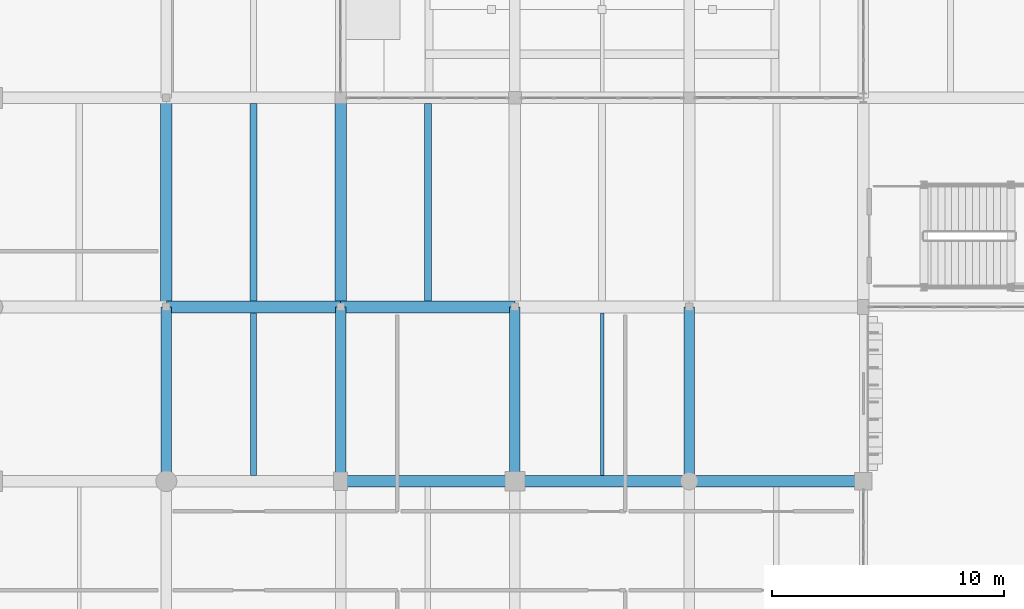
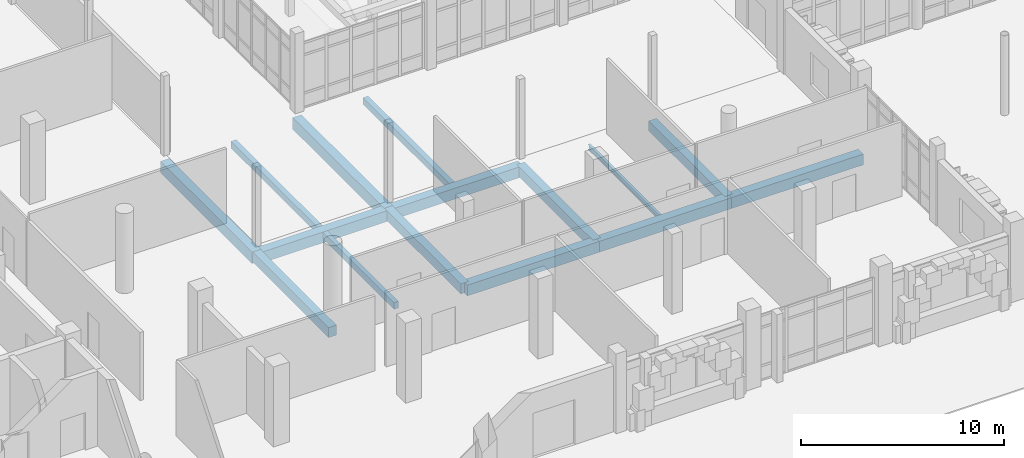
# One storey, part 19 of 125: 15 beams.
"""IFC4 building model written with IfcOpenShell, lengths in metres."""

from ifc_helpers import new_model, si_unit, direction, frame, origin, origin_2d, place, context, subcontext, project, spatial, rectangle, i_section, extrude, material, material_profile, profile_set, type_object, element, save


model = new_model("IFC4")

# Units and contexts
model_context = context("Model", 3, precision=1e-05, world=origin(), true_north=direction((0.0, 1.0)))
body_context = subcontext(model_context, "Body", "Model", "MODEL_VIEW")
ifc_project = project(units=[si_unit("LENGTHUNIT", "METRE"), si_unit("AREAUNIT", "SQUARE_METRE"), si_unit("VOLUMEUNIT", "CUBIC_METRE"), si_unit("PLANEANGLEUNIT", "RADIAN"), si_unit("MASSUNIT", "GRAM", prefix="KILO")], contexts=[model_context])

# Site, building, storey
site_placement = place(None, origin())
site = spatial("IfcSite", under=ifc_project, at=site_placement, CompositionType="ELEMENT")
building_placement = place(site_placement, origin())
building = spatial("IfcBuilding", under=site, at=building_placement, Name="Dalvernix Boulevard General Hospital", CompositionType="ELEMENT")
storey_placement = place(building_placement, origin())
storey = spatial("IfcBuildingStorey", under=building, at=storey_placement, Name="L00", CompositionType="ELEMENT", Elevation=0.0)

# Beams
ifc_material_1 = material(Name="Concrete C35/45", Category="concrete")
ifc_material_profile_1 = material_profile(ifc_material_1, rectangle(XDim=0.5, YDim=0.699951171875, at=origin_2d()), Name="RCB 500x700")
ifc_profile_set_1 = profile_set([ifc_material_profile_1], Name="Concrete C35/45")
beam_type_1 = type_object("IfcBeamType", Name="BM-B-01-I", PredefinedType="BEAM", material=ifc_profile_set_1)
for number, where, z_axis, x_axis, name in (
    (1, (30.0, 22.5, -0.7099609375), (0.0, 1.0, 0.0), (-1.0, 0.0, 0.0), "L00 N-S girder 5:D-E"),
    (2, (37.5, 22.5, -0.7099609375), (0.0, 1.0, 0.0), (-1.0, 0.0, 0.0), "L00 N-S girder 6:D-E"),
):
    element("IfcBeam", number, at=place(storey_placement, frame(where, z_axis=z_axis, x_axis=x_axis)), inside=storey, type_object=beam_type_1, Name=name, PredefinedType="BEAM", context=body_context, shape_type="SweptSolid", body=[
        extrude(rectangle(XDim=0.5, YDim=0.699951171875, at=origin_2d()), origin(), (0.0, 0.0, 1.0), 9.0),
    ])
ifc_material_profile_2 = material_profile(ifc_material_1, rectangle(XDim=0.5, YDim=0.64990234375, at=origin_2d()), Name="RCB 500x650")
ifc_profile_set_2 = profile_set([ifc_material_profile_2], Name="Concrete C35/45")
beam_type_2 = type_object("IfcBeamType", Name="BM-B-02-I", PredefinedType="BEAM", material=ifc_profile_set_2)
for number, where, z_axis, x_axis, name in (
    (3, (37.5, 15.0, -0.68505859375), (1.0, 0.0, 0.0), (0.0, 1.0, 0.0), "L00 E-W girder C:6-7"),
    (4, (45.0, 15.0, -0.68505859375), (1.0, 0.0, 0.0), (0.0, 1.0, 0.0), "L00 E-W girder C:7-8"),
    (5, (52.5, 15.0, -0.68505859375), (1.0, 0.0, 0.0), (0.0, 1.0, 0.0), "L00 E-W girder C:8-9"),
    (6, (30.0, 22.5, -0.68505859375), (1.0, 0.0, 0.0), (0.0, 1.0, 0.0), "L00 E-W girder D:5-6"),
    (7, (37.5, 22.5, -0.68505859375), (1.0, 0.0, 0.0), (0.0, 1.0, 0.0), "L00 E-W girder D:6-7"),
):
    element("IfcBeam", number, at=place(storey_placement, frame(where, z_axis=z_axis, x_axis=x_axis)), inside=storey, type_object=beam_type_2, Name=name, PredefinedType="BEAM", context=body_context, shape_type="SweptSolid", body=[
        extrude(rectangle(XDim=0.5, YDim=0.64990234375, at=origin_2d()), origin(), (0.0, 0.0, 1.0), 7.5),
    ])
ifc_material_profile_3 = material_profile(ifc_material_1, rectangle(XDim=0.449951171875, YDim=0.60009765625, at=origin_2d()), Name="RCB 450x600")
ifc_profile_set_3 = profile_set([ifc_material_profile_3], Name="Concrete C35/45")
beam_type_3 = type_object("IfcBeamType", Name="BM-B-04-I", PredefinedType="BEAM", material=ifc_profile_set_3)
for number, where, z_axis, x_axis, name in (
    (8, (30.0, 15.0, -0.659912109375), (0.0, 1.0, 0.0), (-1.0, 0.0, 0.0), "L00 N-S girder 5:C-D"),
    (9, (37.5, 15.0, -0.659912109375), (0.0, 1.0, 0.0), (-1.0, 0.0, 0.0), "L00 N-S girder 6:C-D"),
    (10, (45.0, 15.0, -0.659912109375), (0.0, 1.0, 0.0), (-1.0, 0.0, 0.0), "L00 N-S girder 7:C-D"),
    (11, (52.5, 15.0, -0.659912109375), (0.0, 1.0, 0.0), (-1.0, 0.0, 0.0), "L00 N-S girder 8:C-D"),
):
    element("IfcBeam", number, at=place(storey_placement, frame(where, z_axis=z_axis, x_axis=x_axis)), inside=storey, type_object=beam_type_3, Name=name, PredefinedType="BEAM", context=body_context, shape_type="SweptSolid", body=[
        extrude(rectangle(XDim=0.449951171875, YDim=0.60009765625, at=origin_2d()), origin(), (0.0, 0.0, 1.0), 7.5),
    ])
ifc_material_profile_4 = material_profile(ifc_material_1, rectangle(XDim=0.300048828125, YDim=0.39990234375, at=origin_2d()), Name="RCB 300x400")
ifc_profile_set_4 = profile_set([ifc_material_profile_4], Name="Concrete C35/45")
beam_type_4 = type_object("IfcBeamType", Name="BM-JB-01", PredefinedType="JOIST", material=ifc_profile_set_4)
for number, where, z_axis, x_axis, name in (
    (12, (33.75, 22.75, -0.56005859375), (0.0, 1.0, 0.0), (-1.0, 0.0, 0.0), "L00 secondary floor beam 5-D"),
    (13, (41.25, 22.75, -0.56005859375), (0.0, 1.0, 0.0), (-1.0, 0.0, 0.0), "L00 secondary floor beam 6-D"),
):
    element("IfcBeam", number, at=place(storey_placement, frame(where, z_axis=z_axis, x_axis=x_axis)), inside=storey, type_object=beam_type_4, Name=name, PredefinedType="JOIST", context=body_context, shape_type="SweptSolid", body=[
        extrude(rectangle(XDim=0.300048828125, YDim=0.39990234375, at=origin_2d()), origin(), (0.0, 0.0, 1.0), 8.5),
    ])
ifc_material_profile_5 = material_profile(ifc_material_1, rectangle(XDim=0.25, YDim=0.39990234375, at=origin_2d()), Name="RCB 250x400")
ifc_profile_set_5 = profile_set([ifc_material_profile_5], Name="Concrete C35/45")
beam_type_5 = type_object("IfcBeamType", Name="BM-JB-02", PredefinedType="JOIST", material=ifc_profile_set_5)
beam_1_placement = place(storey_placement, frame((33.75, 15.25, -0.56005859375), z_axis=(0.0, 1.0, 0.0), x_axis=(-1.0, 0.0, 0.0)))
element("IfcBeam", 14, at=beam_1_placement, inside=storey, type_object=beam_type_5, Name="L00 secondary floor beam 5-C", PredefinedType="JOIST", context=body_context, shape_type="SweptSolid", body=[
    extrude(rectangle(XDim=0.25, YDim=0.39990234375, at=origin_2d()), origin(), (0.0, 0.0, 1.0), 7.0),
])
ifc_material_2 = material(Name="Steel S355", Category="steel")
ifc_material_profile_6 = material_profile(ifc_material_2, i_section(OverallWidth=0.14990234375, OverallDepth=0.300048828125, WebThickness=0.007080078125, FlangeThickness=0.0107421875, FilletRadius=0.014892578125, at=origin_2d()), Name="IPE 300")
ifc_profile_set_6 = profile_set([ifc_material_profile_6], Name="Steel S355")
beam_type_6 = type_object("IfcBeamType", Name="BM-JB-03", PredefinedType="JOIST", material=ifc_profile_set_6)
beam_2_placement = place(storey_placement, frame((48.75, 15.25, -0.510009765625), z_axis=(0.0, 1.0, 0.0), x_axis=(-1.0, 0.0, 0.0)))
element("IfcBeam", 15, at=beam_2_placement, inside=storey, type_object=beam_type_6, Name="L00 secondary floor beam 7-C", PredefinedType="JOIST", context=body_context, shape_type="SweptSolid", body=[
    extrude(i_section(OverallWidth=0.14990234375, OverallDepth=0.300048828125, WebThickness=0.007080078125, FlangeThickness=0.0107421875, FilletRadius=0.014892578125, at=origin_2d()), origin(), (0.0, 0.0, 1.0), 7.0),
])

save(model, "model.ifc")
